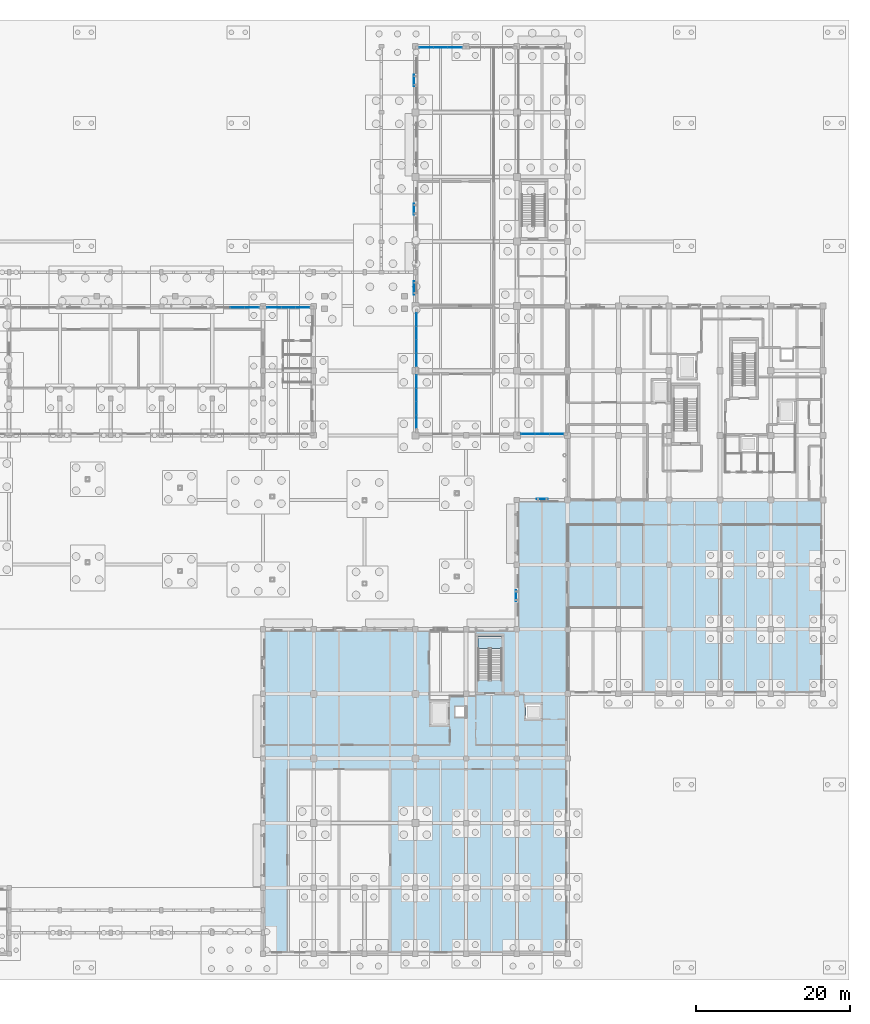
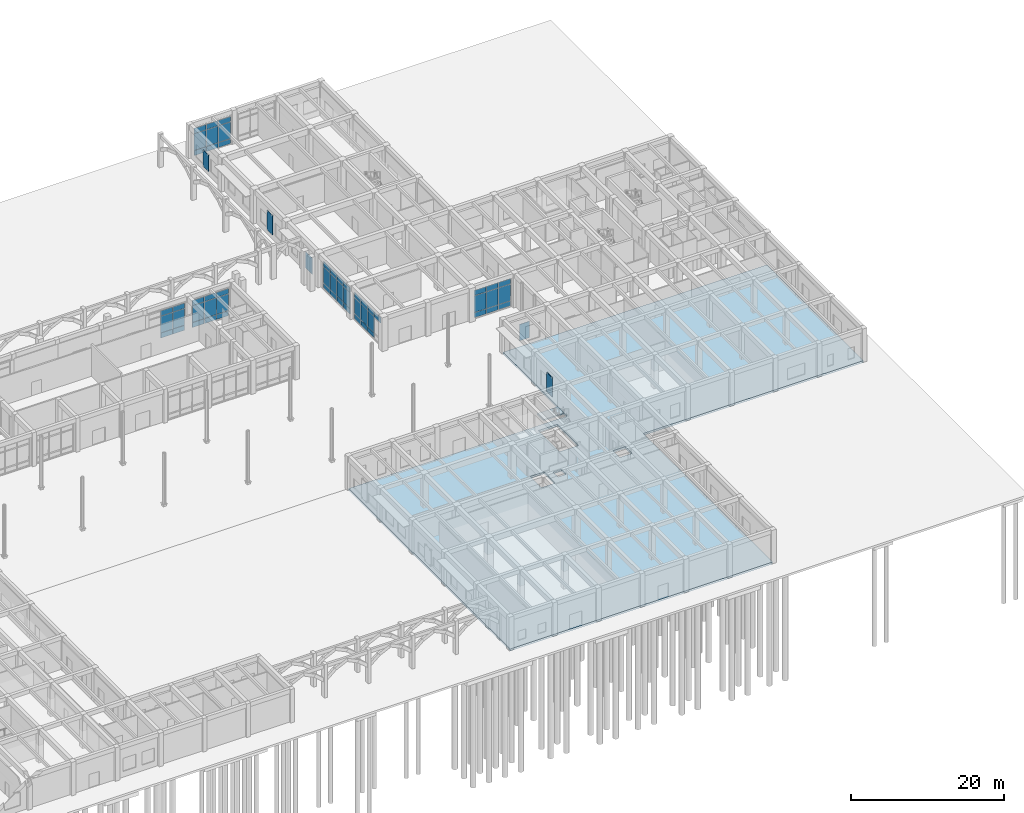
# One storey, part 45 of 82: 60 plates, 2 slabs, 7 elements without a shape of their own.
"""IFC4 building model written with IfcOpenShell, lengths in metres."""

from ifc_helpers import new_model, si_unit, direction, frame, origin, origin_2d, place, context, subcontext, project, spatial, polyline, rectangle, outline, extrude, material, layer, layer_set, type_object, element, aggregate, save


model = new_model("IFC4")

# Units and contexts
model_context = context("Model", 3, precision=1e-05, world=origin(), true_north=direction((0.0, 1.0)))
body_context = subcontext(model_context, "Body", "Model", "MODEL_VIEW")
ifc_project = project(units=[si_unit("LENGTHUNIT", "METRE"), si_unit("AREAUNIT", "SQUARE_METRE"), si_unit("VOLUMEUNIT", "CUBIC_METRE"), si_unit("PLANEANGLEUNIT", "RADIAN"), si_unit("MASSUNIT", "GRAM", prefix="KILO")], contexts=[model_context])

# Site, building, storey
site_placement = place(None, origin())
site = spatial("IfcSite", under=ifc_project, at=site_placement, CompositionType="ELEMENT")
building_placement = place(site_placement, origin())
building = spatial("IfcBuilding", under=site, at=building_placement, Name="Kolvaren Faculty of Natural Sciences", CompositionType="ELEMENT")
storey_placement = place(building_placement, origin())
storey = spatial("IfcBuildingStorey", under=building, at=storey_placement, Name="L00", CompositionType="ELEMENT", Elevation=0.0)

# Curtain wall, plates
ifc_material_1 = material(Name="Thermally broken anodised aluminium framing", Category="aluminium")
ifc_layer_1 = layer(ifc_material_1, 0.179931640625)
ifc_layer_set_1 = layer_set([ifc_layer_1], Name="Thermally broken anodised aluminium framing")
curtain_wall_type_1 = type_object("IfcCurtainWallType", Name="AtriumCurtainWall_CW01", PredefinedType="NOTDEFINED", material=ifc_layer_set_1)
curtain_wall_1_placement = place(storey_placement, origin())
curtain_wall_1 = element("IfcCurtainWall", 1, at=curtain_wall_1_placement, inside=storey, type_object=curtain_wall_type_1, Name="L00 unitised curtain wall CW-01 (CW-L00-011)", PredefinedType="NOTDEFINED")
ifc_material_2 = material(Name="Double low-E solar control insulated glazing", Category="glass")
ifc_layer_2 = layer(ifc_material_2, 0.035888671875)
ifc_layer_set_2 = layer_set([ifc_layer_2], Name="Double low-E solar control insulated glazing")
plate_type_1 = type_object("IfcPlateType", Name="EnvelopePlate_CWPGL1", PredefinedType="CURTAIN_PANEL", material=ifc_layer_set_2)
plate_1_placement = place(storey_placement, frame((95.89990234375, 84.030029296875, 0.919921875), z_axis=(0.0, 0.0, 1.0), x_axis=(1.0, 0.0, 0.0)))
plate_1 = element("IfcPlate", 2, at=plate_1_placement, type_object=plate_type_1, Name="CW-L00-011 panel 2 V1", PredefinedType="CURTAIN_PANEL", context=body_context, shape_type="SweptSolid", body=[
    extrude(rectangle(XDim=1.783203125, YDim=0.035888671875, at=origin_2d()), origin(), (0.0, 0.0, 1.0), 2.64501953125),
])
plate_2_placement = place(storey_placement, frame((97.7333984375, 84.030029296875, 0.919921875), z_axis=(0.0, 0.0, 1.0), x_axis=(1.0, 0.0, 0.0)))
plate_2 = element("IfcPlate", 3, at=plate_2_placement, type_object=plate_type_1, Name="CW-L00-011 panel 3 V1", PredefinedType="CURTAIN_PANEL", context=body_context, shape_type="SweptSolid", body=[
    extrude(rectangle(XDim=1.783203125, YDim=0.035888671875, at=origin_2d()), origin(), (0.0, 0.0, 1.0), 2.64501953125),
])

curtain_wall_2_placement = place(storey_placement, origin())
curtain_wall_2 = element("IfcCurtainWall", 4, at=curtain_wall_2_placement, inside=storey, type_object=curtain_wall_type_1, Name="L00 unitised curtain wall CW-01 (CW-L00-012)", PredefinedType="NOTDEFINED")
plate_3_placement = place(storey_placement, frame((100.666748046875, 84.030029296875, 0.919921875), z_axis=(0.0, 0.0, 1.0), x_axis=(1.0, 0.0, 0.0)))
plate_3 = element("IfcPlate", 5, at=plate_3_placement, type_object=plate_type_1, Name="CW-L00-012 panel 1 V1", PredefinedType="CURTAIN_PANEL", context=body_context, shape_type="SweptSolid", body=[
    extrude(rectangle(XDim=1.783203125, YDim=0.035888671875, at=origin_2d()), origin(), (0.0, 0.0, 1.0), 2.64501953125),
])
plate_4_placement = place(storey_placement, frame((102.5, 84.030029296875, 0.919921875), z_axis=(0.0, 0.0, 1.0), x_axis=(1.0, 0.0, 0.0)))
plate_4 = element("IfcPlate", 6, at=plate_4_placement, type_object=plate_type_1, Name="CW-L00-012 panel 2 V1", PredefinedType="CURTAIN_PANEL", context=body_context, shape_type="SweptSolid", body=[
    extrude(rectangle(XDim=1.783203125, YDim=0.035888671875, at=origin_2d()), origin(), (0.0, 0.0, 1.0), 2.64501953125),
])
plate_5_placement = place(storey_placement, frame((104.333251953125, 84.030029296875, 0.919921875), z_axis=(0.0, 0.0, 1.0), x_axis=(1.0, 0.0, 0.0)))
plate_5 = element("IfcPlate", 7, at=plate_5_placement, type_object=plate_type_1, Name="CW-L00-012 panel 3 V1", PredefinedType="CURTAIN_PANEL", context=body_context, shape_type="SweptSolid", body=[
    extrude(rectangle(XDim=1.783203125, YDim=0.035888671875, at=origin_2d()), origin(), (0.0, 0.0, 1.0), 2.64501953125),
])

ifc_layer_3 = layer(ifc_material_1, 0.179931640625)
ifc_layer_set_3 = layer_set([ifc_layer_3], Name="Thermally broken anodised aluminium framing")
curtain_wall_type_2 = type_object("IfcCurtainWallType", Name="CommonsCurtainWall_CW02", PredefinedType="NOTDEFINED", material=ifc_layer_set_3)
curtain_wall_3_placement = place(storey_placement, origin())
curtain_wall_3 = element("IfcCurtainWall", 8, at=curtain_wall_3_placement, inside=storey, type_object=curtain_wall_type_2, Name="L00 unitised curtain wall CW-02 (CW-L00-013)", PredefinedType="NOTDEFINED")
plate_6_placement = place(storey_placement, frame((137.333251953125, 67.570068359375, 0.919921875), z_axis=(0.0, 0.0, 1.0), x_axis=(-1.0, 0.0, 0.0)))
plate_6 = element("IfcPlate", 9, at=plate_6_placement, type_object=plate_type_1, Name="CW-L00-013 panel 1 V1", PredefinedType="CURTAIN_PANEL", context=body_context, shape_type="SweptSolid", body=[
    extrude(rectangle(XDim=1.783203125, YDim=0.035888671875, at=origin_2d()), origin(), (0.0, 0.0, 1.0), 2.64501953125),
])
plate_7_placement = place(storey_placement, frame((135.5, 67.570068359375, 0.919921875), z_axis=(0.0, 0.0, 1.0), x_axis=(-1.0, 0.0, 0.0)))
plate_7 = element("IfcPlate", 10, at=plate_7_placement, type_object=plate_type_1, Name="CW-L00-013 panel 2 V1", PredefinedType="CURTAIN_PANEL", context=body_context, shape_type="SweptSolid", body=[
    extrude(rectangle(XDim=1.783203125, YDim=0.035888671875, at=origin_2d()), origin(), (0.0, 0.0, 1.0), 2.64501953125),
])
plate_8_placement = place(storey_placement, frame((133.666748046875, 67.570068359375, 0.919921875), z_axis=(0.0, 0.0, 1.0), x_axis=(-1.0, 0.0, 0.0)))
plate_8 = element("IfcPlate", 11, at=plate_8_placement, type_object=plate_type_1, Name="CW-L00-013 panel 3 V1", PredefinedType="CURTAIN_PANEL", context=body_context, shape_type="SweptSolid", body=[
    extrude(rectangle(XDim=1.783203125, YDim=0.035888671875, at=origin_2d()), origin(), (0.0, 0.0, 1.0), 2.64501953125),
])

curtain_wall_4_placement = place(storey_placement, origin())
curtain_wall_4 = element("IfcCurtainWall", 12, at=curtain_wall_4_placement, inside=storey, type_object=curtain_wall_type_2, Name="L00 unitised curtain wall CW-02 (CW-L00-014)", PredefinedType="NOTDEFINED")
plate_9_placement = place(storey_placement, frame((119.169921875, 70.89990234375, 0.919921875), z_axis=(0.0, 0.0, 1.0), x_axis=(0.0, 1.0, 0.0)))
plate_9 = element("IfcPlate", 13, at=plate_9_placement, type_object=plate_type_1, Name="CW-L00-014 panel 2 V1", PredefinedType="CURTAIN_PANEL", context=body_context, shape_type="SweptSolid", body=[
    extrude(rectangle(XDim=1.68994140625, YDim=0.035888671875, at=origin_2d()), origin(), (0.0, 0.0, 1.0), 2.544921875),
])
plate_10_placement = place(storey_placement, frame((119.169921875, 72.639892578125, 0.919921875), z_axis=(0.0, 0.0, 1.0), x_axis=(0.0, 1.0, 0.0)))
plate_10 = element("IfcPlate", 14, at=plate_10_placement, type_object=plate_type_1, Name="CW-L00-014 panel 3 V1", PredefinedType="CURTAIN_PANEL", context=body_context, shape_type="SweptSolid", body=[
    extrude(rectangle(XDim=1.68994140625, YDim=0.035888671875, at=origin_2d()), origin(), (0.0, 0.0, 1.0), 2.544921875),
])
plate_11_placement = place(storey_placement, frame((119.169921875, 74.3798828125, 0.919921875), z_axis=(0.0, 0.0, 1.0), x_axis=(0.0, 1.0, 0.0)))
plate_11 = element("IfcPlate", 15, at=plate_11_placement, type_object=plate_type_1, Name="CW-L00-014 panel 4 V1", PredefinedType="CURTAIN_PANEL", context=body_context, shape_type="SweptSolid", body=[
    extrude(rectangle(XDim=1.68994140625, YDim=0.035888671875, at=origin_2d()), origin(), (0.0, 0.0, 1.0), 2.544921875),
])

curtain_wall_5_placement = place(storey_placement, origin())
curtain_wall_5 = element("IfcCurtainWall", 16, at=curtain_wall_5_placement, inside=storey, type_object=curtain_wall_type_2, Name="L00 unitised curtain wall CW-02 (CW-L00-015)", PredefinedType="NOTDEFINED")
plate_12_placement = place(storey_placement, frame((119.169921875, 77.219970703125, 0.919921875), z_axis=(0.0, 0.0, 1.0), x_axis=(0.0, 1.0, 0.0)))
plate_12 = element("IfcPlate", 17, at=plate_12_placement, type_object=plate_type_1, Name="CW-L00-015 panel 1 V1", PredefinedType="CURTAIN_PANEL", context=body_context, shape_type="SweptSolid", body=[
    extrude(rectangle(XDim=1.68994140625, YDim=0.035888671875, at=origin_2d()), origin(), (0.0, 0.0, 1.0), 2.544921875),
])
plate_13_placement = place(storey_placement, frame((119.169921875, 78.9599609375, 0.919921875), z_axis=(0.0, 0.0, 1.0), x_axis=(0.0, 1.0, 0.0)))
plate_13 = element("IfcPlate", 18, at=plate_13_placement, type_object=plate_type_1, Name="CW-L00-015 panel 2 V1", PredefinedType="CURTAIN_PANEL", context=body_context, shape_type="SweptSolid", body=[
    extrude(rectangle(XDim=1.68994140625, YDim=0.035888671875, at=origin_2d()), origin(), (0.0, 0.0, 1.0), 2.544921875),
])
plate_14_placement = place(storey_placement, frame((119.169921875, 80.699951171875, 0.919921875), z_axis=(0.0, 0.0, 1.0), x_axis=(0.0, 1.0, 0.0)))
plate_14 = element("IfcPlate", 19, at=plate_14_placement, type_object=plate_type_1, Name="CW-L00-015 panel 3 V1", PredefinedType="CURTAIN_PANEL", context=body_context, shape_type="SweptSolid", body=[
    extrude(rectangle(XDim=1.68994140625, YDim=0.035888671875, at=origin_2d()), origin(), (0.0, 0.0, 1.0), 2.544921875),
])
plate_15_placement = place(storey_placement, frame((119.169921875, 82.43994140625, 0.919921875), z_axis=(0.0, 0.0, 1.0), x_axis=(0.0, 1.0, 0.0)))
plate_15 = element("IfcPlate", 20, at=plate_15_placement, type_object=plate_type_1, Name="CW-L00-015 panel 4 V1", PredefinedType="CURTAIN_PANEL", context=body_context, shape_type="SweptSolid", body=[
    extrude(rectangle(XDim=1.68994140625, YDim=0.035888671875, at=origin_2d()), origin(), (0.0, 0.0, 1.0), 2.544921875),
])

curtain_wall_6_placement = place(storey_placement, origin())
curtain_wall_6 = element("IfcCurtainWall", 21, at=curtain_wall_6_placement, inside=storey, type_object=curtain_wall_type_2, Name="L00 unitised curtain wall CW-02 (CW-L00-016)", PredefinedType="NOTDEFINED")
plate_16_placement = place(storey_placement, frame((120.466796875, 117.830078125, 0.919921875), z_axis=(0.0, 0.0, 1.0), x_axis=(1.0, 0.0, 0.0)))
plate_16 = element("IfcPlate", 22, at=plate_16_placement, type_object=plate_type_1, Name="CW-L00-016 panel 1 V1", PredefinedType="CURTAIN_PANEL", context=body_context, shape_type="SweptSolid", body=[
    extrude(rectangle(XDim=1.783203125, YDim=0.035888671875, at=origin_2d()), origin(), (0.0, 0.0, 1.0), 2.64501953125),
])
plate_17_placement = place(storey_placement, frame((122.300048828125, 117.830078125, 0.919921875), z_axis=(0.0, 0.0, 1.0), x_axis=(1.0, 0.0, 0.0)))
plate_17 = element("IfcPlate", 23, at=plate_17_placement, type_object=plate_type_1, Name="CW-L00-016 panel 2 V1", PredefinedType="CURTAIN_PANEL", context=body_context, shape_type="SweptSolid", body=[
    extrude(rectangle(XDim=1.783203125, YDim=0.035888671875, at=origin_2d()), origin(), (0.0, 0.0, 1.0), 2.64501953125),
])
plate_18_placement = place(storey_placement, frame((124.13330078125, 117.830078125, 0.919921875), z_axis=(0.0, 0.0, 1.0), x_axis=(1.0, 0.0, 0.0)))
plate_18 = element("IfcPlate", 24, at=plate_18_placement, type_object=plate_type_1, Name="CW-L00-016 panel 3 V1", PredefinedType="CURTAIN_PANEL", context=body_context, shape_type="SweptSolid", body=[
    extrude(rectangle(XDim=1.783203125, YDim=0.035888671875, at=origin_2d()), origin(), (0.0, 0.0, 1.0), 2.64501953125),
])

# Plate
ifc_layer_4 = layer(ifc_material_2, 0.035888671875)
ifc_layer_set_4 = layer_set([ifc_layer_4], Name="Double low-E solar control insulated glazing")
plate_type_2 = type_object("IfcPlateType", Name="EnvelopePlate_CWPGL2", PredefinedType="CURTAIN_PANEL", material=ifc_layer_set_4)
plate_19_placement = place(storey_placement, frame((95.89990234375, 84.030029296875, 3.60498046875), z_axis=(0.0, 0.0, 1.0), x_axis=(1.0, 0.0, 0.0)))
plate_19 = element("IfcPlate", 25, at=plate_19_placement, type_object=plate_type_2, Name="CW-L00-011 panel 2 V2", PredefinedType="CURTAIN_PANEL", context=body_context, shape_type="SweptSolid", body=[
    extrude(rectangle(XDim=1.783203125, YDim=0.035888671875, at=origin_2d()), origin(), (0.0, 0.0, 1.0), 0.830078125),
])

plate_20_placement = place(storey_placement, frame((97.7333984375, 84.030029296875, 3.60498046875), z_axis=(0.0, 0.0, 1.0), x_axis=(1.0, 0.0, 0.0)))
plate_20 = element("IfcPlate", 26, at=plate_20_placement, type_object=plate_type_2, Name="CW-L00-011 panel 3 V2", PredefinedType="CURTAIN_PANEL", context=body_context, shape_type="SweptSolid", body=[
    extrude(rectangle(XDim=1.783203125, YDim=0.035888671875, at=origin_2d()), origin(), (0.0, 0.0, 1.0), 0.830078125),
])

plate_21_placement = place(storey_placement, frame((100.666748046875, 84.030029296875, 3.60498046875), z_axis=(0.0, 0.0, 1.0), x_axis=(1.0, 0.0, 0.0)))
plate_21 = element("IfcPlate", 27, at=plate_21_placement, type_object=plate_type_2, Name="CW-L00-012 panel 1 V2", PredefinedType="CURTAIN_PANEL", context=body_context, shape_type="SweptSolid", body=[
    extrude(rectangle(XDim=1.783203125, YDim=0.035888671875, at=origin_2d()), origin(), (0.0, 0.0, 1.0), 0.830078125),
])

plate_22_placement = place(storey_placement, frame((102.5, 84.030029296875, 3.60498046875), z_axis=(0.0, 0.0, 1.0), x_axis=(1.0, 0.0, 0.0)))
plate_22 = element("IfcPlate", 28, at=plate_22_placement, type_object=plate_type_2, Name="CW-L00-012 panel 2 V2", PredefinedType="CURTAIN_PANEL", context=body_context, shape_type="SweptSolid", body=[
    extrude(rectangle(XDim=1.783203125, YDim=0.035888671875, at=origin_2d()), origin(), (0.0, 0.0, 1.0), 0.830078125),
])

plate_23_placement = place(storey_placement, frame((104.333251953125, 84.030029296875, 3.60498046875), z_axis=(0.0, 0.0, 1.0), x_axis=(1.0, 0.0, 0.0)))
plate_23 = element("IfcPlate", 29, at=plate_23_placement, type_object=plate_type_2, Name="CW-L00-012 panel 3 V2", PredefinedType="CURTAIN_PANEL", context=body_context, shape_type="SweptSolid", body=[
    extrude(rectangle(XDim=1.783203125, YDim=0.035888671875, at=origin_2d()), origin(), (0.0, 0.0, 1.0), 0.830078125),
])

plate_24_placement = place(storey_placement, frame((137.333251953125, 67.570068359375, 3.60498046875), z_axis=(0.0, 0.0, 1.0), x_axis=(-1.0, 0.0, 0.0)))
plate_24 = element("IfcPlate", 30, at=plate_24_placement, type_object=plate_type_2, Name="CW-L00-013 panel 1 V2", PredefinedType="CURTAIN_PANEL", context=body_context, shape_type="SweptSolid", body=[
    extrude(rectangle(XDim=1.783203125, YDim=0.035888671875, at=origin_2d()), origin(), (0.0, 0.0, 1.0), 0.830078125),
])

plate_25_placement = place(storey_placement, frame((135.5, 67.570068359375, 3.60498046875), z_axis=(0.0, 0.0, 1.0), x_axis=(-1.0, 0.0, 0.0)))
plate_25 = element("IfcPlate", 31, at=plate_25_placement, type_object=plate_type_2, Name="CW-L00-013 panel 2 V2", PredefinedType="CURTAIN_PANEL", context=body_context, shape_type="SweptSolid", body=[
    extrude(rectangle(XDim=1.783203125, YDim=0.035888671875, at=origin_2d()), origin(), (0.0, 0.0, 1.0), 0.830078125),
])

plate_26_placement = place(storey_placement, frame((133.666748046875, 67.570068359375, 3.60498046875), z_axis=(0.0, 0.0, 1.0), x_axis=(-1.0, 0.0, 0.0)))
plate_26 = element("IfcPlate", 32, at=plate_26_placement, type_object=plate_type_2, Name="CW-L00-013 panel 3 V2", PredefinedType="CURTAIN_PANEL", context=body_context, shape_type="SweptSolid", body=[
    extrude(rectangle(XDim=1.783203125, YDim=0.035888671875, at=origin_2d()), origin(), (0.0, 0.0, 1.0), 0.830078125),
])

plate_27_placement = place(storey_placement, frame((119.169921875, 69.159912109375, 3.5048828125), z_axis=(0.0, 0.0, 1.0), x_axis=(0.0, 1.0, 0.0)))
plate_27 = element("IfcPlate", 33, at=plate_27_placement, type_object=plate_type_2, Name="CW-L00-014 panel 1 V2", PredefinedType="CURTAIN_PANEL", context=body_context, shape_type="SweptSolid", body=[
    extrude(rectangle(XDim=1.68994140625, YDim=0.035888671875, at=origin_2d()), origin(), (0.0, 0.0, 1.0), 0.830078125),
])

plate_28_placement = place(storey_placement, frame((119.169921875, 70.89990234375, 3.5048828125), z_axis=(0.0, 0.0, 1.0), x_axis=(0.0, 1.0, 0.0)))
plate_28 = element("IfcPlate", 34, at=plate_28_placement, type_object=plate_type_2, Name="CW-L00-014 panel 2 V2", PredefinedType="CURTAIN_PANEL", context=body_context, shape_type="SweptSolid", body=[
    extrude(rectangle(XDim=1.68994140625, YDim=0.035888671875, at=origin_2d()), origin(), (0.0, 0.0, 1.0), 0.830078125),
])

plate_29_placement = place(storey_placement, frame((119.169921875, 72.639892578125, 3.5048828125), z_axis=(0.0, 0.0, 1.0), x_axis=(0.0, 1.0, 0.0)))
plate_29 = element("IfcPlate", 35, at=plate_29_placement, type_object=plate_type_2, Name="CW-L00-014 panel 3 V2", PredefinedType="CURTAIN_PANEL", context=body_context, shape_type="SweptSolid", body=[
    extrude(rectangle(XDim=1.68994140625, YDim=0.035888671875, at=origin_2d()), origin(), (0.0, 0.0, 1.0), 0.830078125),
])

plate_30_placement = place(storey_placement, frame((119.169921875, 74.3798828125, 3.5048828125), z_axis=(0.0, 0.0, 1.0), x_axis=(0.0, 1.0, 0.0)))
plate_30 = element("IfcPlate", 36, at=plate_30_placement, type_object=plate_type_2, Name="CW-L00-014 panel 4 V2", PredefinedType="CURTAIN_PANEL", context=body_context, shape_type="SweptSolid", body=[
    extrude(rectangle(XDim=1.68994140625, YDim=0.035888671875, at=origin_2d()), origin(), (0.0, 0.0, 1.0), 0.830078125),
])

plate_31_placement = place(storey_placement, frame((119.169921875, 77.219970703125, 3.5048828125), z_axis=(0.0, 0.0, 1.0), x_axis=(0.0, 1.0, 0.0)))
plate_31 = element("IfcPlate", 37, at=plate_31_placement, type_object=plate_type_2, Name="CW-L00-015 panel 1 V2", PredefinedType="CURTAIN_PANEL", context=body_context, shape_type="SweptSolid", body=[
    extrude(rectangle(XDim=1.68994140625, YDim=0.035888671875, at=origin_2d()), origin(), (0.0, 0.0, 1.0), 0.830078125),
])

plate_32_placement = place(storey_placement, frame((119.169921875, 78.9599609375, 3.5048828125), z_axis=(0.0, 0.0, 1.0), x_axis=(0.0, 1.0, 0.0)))
plate_32 = element("IfcPlate", 38, at=plate_32_placement, type_object=plate_type_2, Name="CW-L00-015 panel 2 V2", PredefinedType="CURTAIN_PANEL", context=body_context, shape_type="SweptSolid", body=[
    extrude(rectangle(XDim=1.68994140625, YDim=0.035888671875, at=origin_2d()), origin(), (0.0, 0.0, 1.0), 0.830078125),
])

plate_33_placement = place(storey_placement, frame((119.169921875, 80.699951171875, 3.5048828125), z_axis=(0.0, 0.0, 1.0), x_axis=(0.0, 1.0, 0.0)))
plate_33 = element("IfcPlate", 39, at=plate_33_placement, type_object=plate_type_2, Name="CW-L00-015 panel 3 V2", PredefinedType="CURTAIN_PANEL", context=body_context, shape_type="SweptSolid", body=[
    extrude(rectangle(XDim=1.68994140625, YDim=0.035888671875, at=origin_2d()), origin(), (0.0, 0.0, 1.0), 0.830078125),
])

plate_34_placement = place(storey_placement, frame((119.169921875, 82.43994140625, 3.5048828125), z_axis=(0.0, 0.0, 1.0), x_axis=(0.0, 1.0, 0.0)))
plate_34 = element("IfcPlate", 40, at=plate_34_placement, type_object=plate_type_2, Name="CW-L00-015 panel 4 V2", PredefinedType="CURTAIN_PANEL", context=body_context, shape_type="SweptSolid", body=[
    extrude(rectangle(XDim=1.68994140625, YDim=0.035888671875, at=origin_2d()), origin(), (0.0, 0.0, 1.0), 0.830078125),
])

plate_35_placement = place(storey_placement, frame((120.466796875, 117.830078125, 3.60498046875), z_axis=(0.0, 0.0, 1.0), x_axis=(1.0, 0.0, 0.0)))
plate_35 = element("IfcPlate", 41, at=plate_35_placement, type_object=plate_type_2, Name="CW-L00-016 panel 1 V2", PredefinedType="CURTAIN_PANEL", context=body_context, shape_type="SweptSolid", body=[
    extrude(rectangle(XDim=1.783203125, YDim=0.035888671875, at=origin_2d()), origin(), (0.0, 0.0, 1.0), 0.830078125),
])

plate_36_placement = place(storey_placement, frame((122.300048828125, 117.830078125, 3.60498046875), z_axis=(0.0, 0.0, 1.0), x_axis=(1.0, 0.0, 0.0)))
plate_36 = element("IfcPlate", 42, at=plate_36_placement, type_object=plate_type_2, Name="CW-L00-016 panel 2 V2", PredefinedType="CURTAIN_PANEL", context=body_context, shape_type="SweptSolid", body=[
    extrude(rectangle(XDim=1.783203125, YDim=0.035888671875, at=origin_2d()), origin(), (0.0, 0.0, 1.0), 0.830078125),
])

plate_37_placement = place(storey_placement, frame((124.13330078125, 117.830078125, 3.60498046875), z_axis=(0.0, 0.0, 1.0), x_axis=(1.0, 0.0, 0.0)))
plate_37 = element("IfcPlate", 43, at=plate_37_placement, type_object=plate_type_2, Name="CW-L00-016 panel 3 V2", PredefinedType="CURTAIN_PANEL", context=body_context, shape_type="SweptSolid", body=[
    extrude(rectangle(XDim=1.783203125, YDim=0.035888671875, at=origin_2d()), origin(), (0.0, 0.0, 1.0), 0.830078125),
])

ifc_material_3 = material(Name="Insulated anodised aluminium spandrel panel", Category="aluminium")
ifc_layer_5 = layer(ifc_material_3, 0.050048828125)
ifc_layer_set_5 = layer_set([ifc_layer_5], Name="Insulated anodised aluminium spandrel panel")
plate_type_3 = type_object("IfcPlateType", Name="EnvelopePlate_CWPSP1", PredefinedType="SHEET", material=ifc_layer_set_5)
plate_38_placement = place(storey_placement, frame((95.89990234375, 84.030029296875, 0.10009765625), z_axis=(0.0, 0.0, 1.0), x_axis=(1.0, 0.0, 0.0)))
plate_38 = element("IfcPlate", 44, at=plate_38_placement, type_object=plate_type_3, Name="CW-L00-011 panel 2 SP", PredefinedType="SHEET", context=body_context, shape_type="SweptSolid", body=[
    extrude(rectangle(XDim=1.783203125, YDim=0.050048828125, at=origin_2d()), origin(), (0.0, 0.0, 1.0), 0.780029296875),
])

plate_39_placement = place(storey_placement, frame((97.7333984375, 84.030029296875, 0.10009765625), z_axis=(0.0, 0.0, 1.0), x_axis=(1.0, 0.0, 0.0)))
plate_39 = element("IfcPlate", 45, at=plate_39_placement, type_object=plate_type_3, Name="CW-L00-011 panel 3 SP", PredefinedType="SHEET", context=body_context, shape_type="SweptSolid", body=[
    extrude(rectangle(XDim=1.783203125, YDim=0.050048828125, at=origin_2d()), origin(), (0.0, 0.0, 1.0), 0.780029296875),
])

aggregate(curtain_wall_1, [plate_38, plate_1, plate_19, plate_39, plate_2, plate_20])

plate_40_placement = place(storey_placement, frame((100.666748046875, 84.030029296875, 0.10009765625), z_axis=(0.0, 0.0, 1.0), x_axis=(1.0, 0.0, 0.0)))
plate_40 = element("IfcPlate", 46, at=plate_40_placement, type_object=plate_type_3, Name="CW-L00-012 panel 1 SP", PredefinedType="SHEET", context=body_context, shape_type="SweptSolid", body=[
    extrude(rectangle(XDim=1.783203125, YDim=0.050048828125, at=origin_2d()), origin(), (0.0, 0.0, 1.0), 0.780029296875),
])

plate_41_placement = place(storey_placement, frame((102.5, 84.030029296875, 0.10009765625), z_axis=(0.0, 0.0, 1.0), x_axis=(1.0, 0.0, 0.0)))
plate_41 = element("IfcPlate", 47, at=plate_41_placement, type_object=plate_type_3, Name="CW-L00-012 panel 2 SP", PredefinedType="SHEET", context=body_context, shape_type="SweptSolid", body=[
    extrude(rectangle(XDim=1.783203125, YDim=0.050048828125, at=origin_2d()), origin(), (0.0, 0.0, 1.0), 0.780029296875),
])

plate_42_placement = place(storey_placement, frame((104.333251953125, 84.030029296875, 0.10009765625), z_axis=(0.0, 0.0, 1.0), x_axis=(1.0, 0.0, 0.0)))
plate_42 = element("IfcPlate", 48, at=plate_42_placement, type_object=plate_type_3, Name="CW-L00-012 panel 3 SP", PredefinedType="SHEET", context=body_context, shape_type="SweptSolid", body=[
    extrude(rectangle(XDim=1.783203125, YDim=0.050048828125, at=origin_2d()), origin(), (0.0, 0.0, 1.0), 0.780029296875),
])

aggregate(curtain_wall_2, [plate_40, plate_3, plate_21, plate_41, plate_4, plate_22, plate_42, plate_5, plate_23])

plate_43_placement = place(storey_placement, frame((137.333251953125, 67.570068359375, 0.10009765625), z_axis=(0.0, 0.0, 1.0), x_axis=(-1.0, 0.0, 0.0)))
plate_43 = element("IfcPlate", 49, at=plate_43_placement, type_object=plate_type_3, Name="CW-L00-013 panel 1 SP", PredefinedType="SHEET", context=body_context, shape_type="SweptSolid", body=[
    extrude(rectangle(XDim=1.783203125, YDim=0.050048828125, at=origin_2d()), origin(), (0.0, 0.0, 1.0), 0.780029296875),
])

plate_44_placement = place(storey_placement, frame((135.5, 67.570068359375, 0.10009765625), z_axis=(0.0, 0.0, 1.0), x_axis=(-1.0, 0.0, 0.0)))
plate_44 = element("IfcPlate", 50, at=plate_44_placement, type_object=plate_type_3, Name="CW-L00-013 panel 2 SP", PredefinedType="SHEET", context=body_context, shape_type="SweptSolid", body=[
    extrude(rectangle(XDim=1.783203125, YDim=0.050048828125, at=origin_2d()), origin(), (0.0, 0.0, 1.0), 0.780029296875),
])

plate_45_placement = place(storey_placement, frame((133.666748046875, 67.570068359375, 0.10009765625), z_axis=(0.0, 0.0, 1.0), x_axis=(-1.0, 0.0, 0.0)))
plate_45 = element("IfcPlate", 51, at=plate_45_placement, type_object=plate_type_3, Name="CW-L00-013 panel 3 SP", PredefinedType="SHEET", context=body_context, shape_type="SweptSolid", body=[
    extrude(rectangle(XDim=1.783203125, YDim=0.050048828125, at=origin_2d()), origin(), (0.0, 0.0, 1.0), 0.780029296875),
])

aggregate(curtain_wall_3, [plate_43, plate_6, plate_24, plate_44, plate_7, plate_25, plate_45, plate_8, plate_26])

plate_46_placement = place(storey_placement, frame((119.169921875, 70.89990234375, 0.10009765625), z_axis=(0.0, 0.0, 1.0), x_axis=(0.0, 1.0, 0.0)))
plate_46 = element("IfcPlate", 52, at=plate_46_placement, type_object=plate_type_3, Name="CW-L00-014 panel 2 SP", PredefinedType="SHEET", context=body_context, shape_type="SweptSolid", body=[
    extrude(rectangle(XDim=1.68994140625, YDim=0.050048828125, at=origin_2d()), origin(), (0.0, 0.0, 1.0), 0.780029296875),
])

plate_47_placement = place(storey_placement, frame((119.169921875, 72.639892578125, 0.10009765625), z_axis=(0.0, 0.0, 1.0), x_axis=(0.0, 1.0, 0.0)))
plate_47 = element("IfcPlate", 53, at=plate_47_placement, type_object=plate_type_3, Name="CW-L00-014 panel 3 SP", PredefinedType="SHEET", context=body_context, shape_type="SweptSolid", body=[
    extrude(rectangle(XDim=1.68994140625, YDim=0.050048828125, at=origin_2d()), origin(), (0.0, 0.0, 1.0), 0.780029296875),
])

plate_48_placement = place(storey_placement, frame((119.169921875, 74.3798828125, 0.10009765625), z_axis=(0.0, 0.0, 1.0), x_axis=(0.0, 1.0, 0.0)))
plate_48 = element("IfcPlate", 54, at=plate_48_placement, type_object=plate_type_3, Name="CW-L00-014 panel 4 SP", PredefinedType="SHEET", context=body_context, shape_type="SweptSolid", body=[
    extrude(rectangle(XDim=1.68994140625, YDim=0.050048828125, at=origin_2d()), origin(), (0.0, 0.0, 1.0), 0.780029296875),
])

aggregate(curtain_wall_4, [plate_27, plate_46, plate_9, plate_28, plate_47, plate_10, plate_29, plate_48, plate_11, plate_30])

plate_49_placement = place(storey_placement, frame((119.169921875, 77.219970703125, 0.10009765625), z_axis=(0.0, 0.0, 1.0), x_axis=(0.0, 1.0, 0.0)))
plate_49 = element("IfcPlate", 55, at=plate_49_placement, type_object=plate_type_3, Name="CW-L00-015 panel 1 SP", PredefinedType="SHEET", context=body_context, shape_type="SweptSolid", body=[
    extrude(rectangle(XDim=1.68994140625, YDim=0.050048828125, at=origin_2d()), origin(), (0.0, 0.0, 1.0), 0.780029296875),
])

plate_50_placement = place(storey_placement, frame((119.169921875, 78.9599609375, 0.10009765625), z_axis=(0.0, 0.0, 1.0), x_axis=(0.0, 1.0, 0.0)))
plate_50 = element("IfcPlate", 56, at=plate_50_placement, type_object=plate_type_3, Name="CW-L00-015 panel 2 SP", PredefinedType="SHEET", context=body_context, shape_type="SweptSolid", body=[
    extrude(rectangle(XDim=1.68994140625, YDim=0.050048828125, at=origin_2d()), origin(), (0.0, 0.0, 1.0), 0.780029296875),
])

plate_51_placement = place(storey_placement, frame((119.169921875, 80.699951171875, 0.10009765625), z_axis=(0.0, 0.0, 1.0), x_axis=(0.0, 1.0, 0.0)))
plate_51 = element("IfcPlate", 57, at=plate_51_placement, type_object=plate_type_3, Name="CW-L00-015 panel 3 SP", PredefinedType="SHEET", context=body_context, shape_type="SweptSolid", body=[
    extrude(rectangle(XDim=1.68994140625, YDim=0.050048828125, at=origin_2d()), origin(), (0.0, 0.0, 1.0), 0.780029296875),
])

plate_52_placement = place(storey_placement, frame((119.169921875, 82.43994140625, 0.10009765625), z_axis=(0.0, 0.0, 1.0), x_axis=(0.0, 1.0, 0.0)))
plate_52 = element("IfcPlate", 58, at=plate_52_placement, type_object=plate_type_3, Name="CW-L00-015 panel 4 SP", PredefinedType="SHEET", context=body_context, shape_type="SweptSolid", body=[
    extrude(rectangle(XDim=1.68994140625, YDim=0.050048828125, at=origin_2d()), origin(), (0.0, 0.0, 1.0), 0.780029296875),
])

aggregate(curtain_wall_5, [plate_49, plate_12, plate_31, plate_50, plate_13, plate_32, plate_51, plate_14, plate_33, plate_52, plate_15, plate_34])

plate_53_placement = place(storey_placement, frame((120.466796875, 117.830078125, 0.10009765625), z_axis=(0.0, 0.0, 1.0), x_axis=(1.0, 0.0, 0.0)))
plate_53 = element("IfcPlate", 59, at=plate_53_placement, type_object=plate_type_3, Name="CW-L00-016 panel 1 SP", PredefinedType="SHEET", context=body_context, shape_type="SweptSolid", body=[
    extrude(rectangle(XDim=1.783203125, YDim=0.050048828125, at=origin_2d()), origin(), (0.0, 0.0, 1.0), 0.780029296875),
])

plate_54_placement = place(storey_placement, frame((122.300048828125, 117.830078125, 0.10009765625), z_axis=(0.0, 0.0, 1.0), x_axis=(1.0, 0.0, 0.0)))
plate_54 = element("IfcPlate", 60, at=plate_54_placement, type_object=plate_type_3, Name="CW-L00-016 panel 2 SP", PredefinedType="SHEET", context=body_context, shape_type="SweptSolid", body=[
    extrude(rectangle(XDim=1.783203125, YDim=0.050048828125, at=origin_2d()), origin(), (0.0, 0.0, 1.0), 0.780029296875),
])

plate_55_placement = place(storey_placement, frame((124.13330078125, 117.830078125, 0.10009765625), z_axis=(0.0, 0.0, 1.0), x_axis=(1.0, 0.0, 0.0)))
plate_55 = element("IfcPlate", 61, at=plate_55_placement, type_object=plate_type_3, Name="CW-L00-016 panel 3 SP", PredefinedType="SHEET", context=body_context, shape_type="SweptSolid", body=[
    extrude(rectangle(XDim=1.783203125, YDim=0.050048828125, at=origin_2d()), origin(), (0.0, 0.0, 1.0), 0.780029296875),
])

aggregate(curtain_wall_6, [plate_53, plate_16, plate_35, plate_54, plate_17, plate_36, plate_55, plate_18, plate_37])

# Plates
ifc_material_4 = material(Name="Extruded architectural terracotta screen", Category="masonry")
ifc_layer_6 = layer(ifc_material_4, 0.06494140625)
ifc_layer_set_6 = layer_set([ifc_layer_6], Name="Extruded architectural terracotta screen")
plate_type_4 = type_object("IfcPlateType", Name="EnvelopePlate_JL01", PredefinedType="USERDEFINED", material=ifc_layer_set_6)
for number, where, z_axis, x_axis, name in (
    (62, (135.5, 59.139892578125, 0.849853515625), (0.0, 0.0, 1.0), (1.0, 0.0, 0.0), "L00 perforated terracotta jali sun screen JL-01"),
    (63, (118.860107421875, 113.530029296875, 0.849853515625), (0.0, 0.0, 1.0), (0.0, 1.0, 0.0), "L00 perforated terracotta jali sun screen JL-01"),
):
    element("IfcPlate", number, at=place(storey_placement, frame(where, z_axis=z_axis, x_axis=x_axis)), inside=storey, type_object=plate_type_4, Name=name, ObjectType="SCREEN", PredefinedType="USERDEFINED", context=body_context, shape_type="SweptSolid", body=[
        extrude(rectangle(XDim=1.449951171875, YDim=0.06494140625, at=origin_2d()), origin(), (0.0, 0.0, 1.0), 2.60009765625),
    ])
ifc_layer_7 = layer(ifc_material_4, 0.06494140625)
ifc_layer_set_7 = layer_set([ifc_layer_7], Name="Extruded architectural terracotta screen")
plate_type_5 = type_object("IfcPlateType", Name="EnvelopePlate_JL02", PredefinedType="USERDEFINED", material=ifc_layer_set_7)
plate_56_placement = place(storey_placement, frame((118.860107421875, 86.570068359375, 0.849853515625), z_axis=(0.0, 0.0, 1.0), x_axis=(0.0, 1.0, 0.0)))
element("IfcPlate", 64, at=plate_56_placement, inside=storey, type_object=plate_type_5, Name="L00 perforated terracotta jali sun screen JL-02", ObjectType="SCREEN", PredefinedType="USERDEFINED", context=body_context, shape_type="SweptSolid", body=[
    extrude(rectangle(XDim=1.75, YDim=0.06494140625, at=origin_2d()), origin(), (0.0, 0.0, 1.0), 2.60009765625),
])
ifc_layer_8 = layer(ifc_material_4, 0.06494140625)
ifc_layer_set_8 = layer_set([ifc_layer_8], Name="Extruded architectural terracotta screen")
plate_type_6 = type_object("IfcPlateType", Name="EnvelopePlate_JL03", PredefinedType="USERDEFINED", material=ifc_layer_set_8)
for number, where, z_axis, x_axis, name in (
    (65, (132.06005859375, 46.570068359375, 0.849853515625), (0.0, 0.0, 1.0), (0.0, 1.0, 0.0), "L00 perforated terracotta jali sun screen JL-03"),
    (66, (118.860107421875, 96.800048828125, 0.849853515625), (0.0, 0.0, 1.0), (0.0, 1.0, 0.0), "L00 perforated terracotta jali sun screen JL-03"),
):
    element("IfcPlate", number, at=place(storey_placement, frame(where, z_axis=z_axis, x_axis=x_axis)), inside=storey, type_object=plate_type_6, Name=name, ObjectType="SCREEN", PredefinedType="USERDEFINED", context=body_context, shape_type="SweptSolid", body=[
        extrude(rectangle(XDim=1.449951171875, YDim=0.06494140625, at=origin_2d()), origin(), (0.0, 0.0, 1.0), 3.10009765625),
    ])

# Slab
ifc_material_5 = material(Name="Concrete C35/45", Category="concrete")
ifc_layer_9 = layer(ifc_material_5, 0.320068359375)
ifc_layer_set_9 = layer_set([ifc_layer_9], Name="Concrete C35/45")
slab_type_1 = type_object("IfcSlabType", Name="GroundSlab_320", PredefinedType="FLOOR", material=ifc_layer_set_9)
slab_1_placement = place(storey_placement, frame((0.0, 0.0, -0.320068359375)))
element("IfcSlab", 67, at=slab_1_placement, inside=storey, type_object=slab_type_1, Name="L00 V5 structural slab 1", PredefinedType="FLOOR", context=body_context, shape_type="SweptSolid", body=[
    extrude(outline(polyline([(99.199951171875, 0.0), (99.199951171875, 42.199951171875), (132.199951171875, 42.199951171875), (132.199951171875, 59.0), (172.0, 59.0), (172.0, 33.800048828125), (138.800048828125, 33.800048828125), (138.800048828125, 0.0), (99.199951171875, 0.0)]), holes=[polyline([(133.39990234375, 32.39990234375), (133.39990234375, 30.60009765625), (135.300048828125, 30.60009765625), (135.300048828125, 32.39990234375), (133.39990234375, 32.39990234375)]), polyline([(130.1298828125, 41.22998046875), (127.27001953125, 41.22998046875), (127.27001953125, 35.669921875), (130.1298828125, 35.669921875), (130.1298828125, 41.22998046875)]), polyline([(125.5, 32.10009765625), (124.199951171875, 32.10009765625), (124.199951171875, 30.800048828125), (125.5, 30.800048828125), (125.5, 32.10009765625)]), polyline([(123.199951171875, 32.699951171875), (121.10009765625, 32.699951171875), (121.10009765625, 29.800048828125), (123.199951171875, 29.800048828125), (123.199951171875, 32.699951171875)])]), origin(), (0.0, 0.0, 1.0), 0.320068359375),
])

# Stair, slab
stair_type = type_object("IfcStairType", Name="DoglegStair_H5400", PredefinedType="HALF_TURN_STAIR", material=ifc_material_5)
stair_placement = place(storey_placement, origin())
stair = element("IfcStair", 68, at=stair_placement, inside=storey, type_object=stair_type, Name="L00 Protected exit stair ST-3", PredefinedType="HALF_TURN_STAIR")
ifc_layer_10 = layer(ifc_material_5, 0.199951171875)
ifc_layer_set_10 = layer_set([ifc_layer_10], Name="Concrete C35/45")
slab_type_2 = type_object("IfcSlabType", Name="StairLandingSlab_200", PredefinedType="LANDING", material=ifc_layer_set_10)
slab_2_placement = place(storey_placement, frame((0.0, 0.0, 2.5)))
slab_2 = element("IfcSlab", 69, at=slab_2_placement, type_object=slab_type_2, Name="ST-3 landing 1", PredefinedType="LANDING", context=body_context, shape_type="SweptSolid", body=[
    extrude(outline(polyline([(130.25, 39.679931640625), (130.25, 41.35009765625), (127.14990234375, 41.35009765625), (127.14990234375, 39.679931640625), (130.25, 39.679931640625)])), origin(), (0.0, 0.0, 1.0), 0.199951171875),
])
aggregate(stair, [slab_2])

save(model, "model.ifc")
